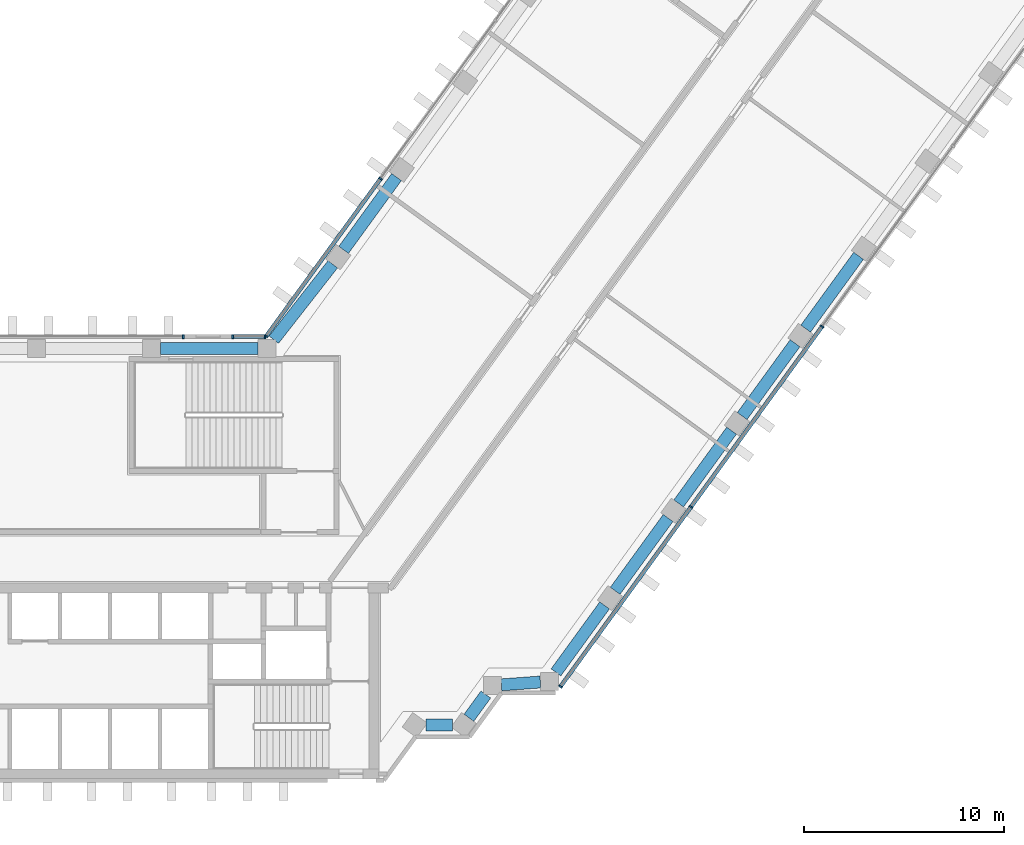
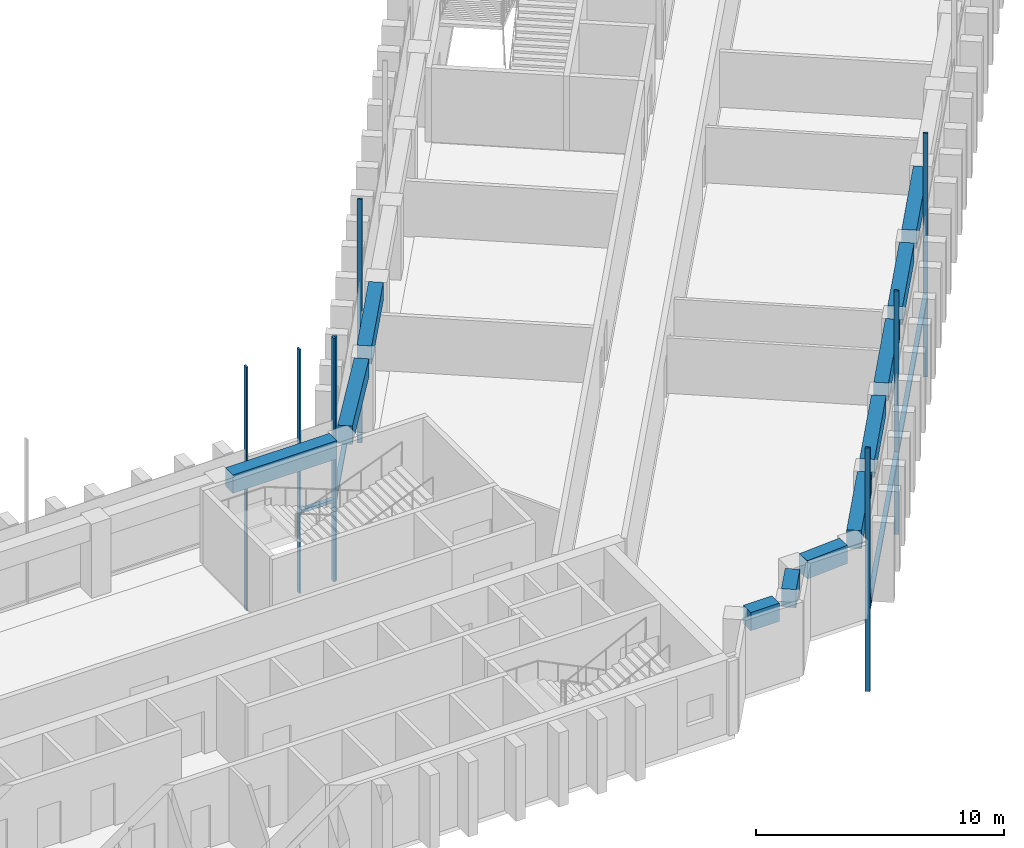
# One storey, part 5 of 19: 12 members, 11 beams, 4 elements without a shape of their own.
"""IFC4 building model written with IfcOpenShell, lengths in metres."""

from ifc_helpers import new_model, si_unit, direction, frame, origin, origin_2d, place, context, subcontext, project, spatial, rectangle, extrude, material, material_profile, profile_set, type_object, element, aggregate, save


model = new_model("IFC4")

# Units and contexts
model_context = context("Model", 3, precision=1e-05, world=origin(), true_north=direction((0.0, 1.0)))
body_context = subcontext(model_context, "Body", "Model", "MODEL_VIEW")
ifc_project = project(units=[si_unit("LENGTHUNIT", "METRE"), si_unit("AREAUNIT", "SQUARE_METRE"), si_unit("VOLUMEUNIT", "CUBIC_METRE"), si_unit("PLANEANGLEUNIT", "RADIAN"), si_unit("MASSUNIT", "GRAM", prefix="KILO")], contexts=[model_context])

# Site, building, storey
site_placement = place(None, origin())
site = spatial("IfcSite", under=ifc_project, at=site_placement, CompositionType="ELEMENT")
building_placement = place(site_placement, origin())
building = spatial("IfcBuilding", under=site, at=building_placement, Name="Quipu Civic Tower", CompositionType="ELEMENT")
storey_placement = place(building_placement, frame((0.0, 0.0, 47.0)))
storey = spatial("IfcBuildingStorey", under=building, at=storey_placement, Name="L10", CompositionType="ELEMENT", Elevation=47.0)

# Curtain wall, members
ifc_material_1 = material(Name="Insulated glass unit", Category="glass")
curtain_wall_type = type_object("IfcCurtainWallType", Name="Office curtain wall CW1", PredefinedType="NOTDEFINED", material=ifc_material_1)
curtain_wall_1_placement = place(storey_placement, origin())
curtain_wall_1 = element("IfcCurtainWall", 1, at=curtain_wall_1_placement, inside=storey, type_object=curtain_wall_type, Name="Office curtain wall CW1 L09 run 19", PredefinedType="NOTDEFINED")
ifc_material_2 = material(Name="Anodised aluminium", Category="aluminium")
ifc_material_profile_1 = material_profile(ifc_material_2, rectangle(XDim=0.199951171875, YDim=0.080078125, at=origin_2d()), Name="RECT 200x80")
ifc_profile_set_1 = profile_set([ifc_material_profile_1], Name="Anodised aluminium")
member_type_1 = type_object("IfcMemberType", Name="Mullion CW1", PredefinedType="MULLION", material=ifc_profile_set_1)
member_1_placement = place(storey_placement, frame((29.079345703125, -6.3876953125, -3.919921875), z_axis=(0.0, 0.0, 1.0), x_axis=(-0.809016770908, 0.587785559869, 0.0)))
member_1 = element("IfcMember", 2, at=member_1_placement, type_object=member_type_1, Name="CW1 mullion 1", PredefinedType="MULLION", context=body_context, shape_type="SweptSolid", body=[
    extrude(rectangle(XDim=0.199951171875, YDim=0.080078125, at=origin_2d()), origin(), (0.0, 0.0, 1.0), 12.0),
])
member_2_placement = place(storey_placement, frame((35.60546875, 2.594482421875, -3.919921875), z_axis=(0.0, 0.0, 1.0), x_axis=(-0.809016770908, 0.587785559869, 0.0)))
member_2 = element("IfcMember", 3, at=member_2_placement, type_object=member_type_1, Name="CW1 mullion 2", PredefinedType="MULLION", context=body_context, shape_type="SweptSolid", body=[
    extrude(rectangle(XDim=0.199951171875, YDim=0.080078125, at=origin_2d()), origin(), (0.0, 0.0, 1.0), 12.0),
])
member_3_placement = place(storey_placement, frame((42.155029296875, 11.609130859375, -3.919921875), z_axis=(0.0, 0.0, 1.0), x_axis=(-0.809016770908, 0.587785559869, 0.0)))
member_3 = element("IfcMember", 4, at=member_3_placement, type_object=member_type_1, Name="CW1 mullion 3", PredefinedType="MULLION", context=body_context, shape_type="SweptSolid", body=[
    extrude(rectangle(XDim=0.199951171875, YDim=0.080078125, at=origin_2d()), origin(), (0.0, 0.0, 1.0), 12.0),
])

curtain_wall_2_placement = place(storey_placement, origin())
curtain_wall_2 = element("IfcCurtainWall", 5, at=curtain_wall_2_placement, inside=storey, type_object=curtain_wall_type, Name="Office curtain wall CW1 L09 run 29", PredefinedType="NOTDEFINED")
member_4_placement = place(storey_placement, frame((20.08154296875, 18.996826171875, -3.919921875), z_axis=(0.0, 0.0, 1.0), x_axis=(0.809016532822, -0.587785887566, 0.0)))
member_4 = element("IfcMember", 6, at=member_4_placement, type_object=member_type_1, Name="CW1 mullion 4", PredefinedType="MULLION", context=body_context, shape_type="SweptSolid", body=[
    extrude(rectangle(XDim=0.199951171875, YDim=0.080078125, at=origin_2d()), origin(), (0.0, 0.0, 1.0), 12.0),
])
member_5_placement = place(storey_placement, frame((14.36767578125, 11.13232421875, -3.919921875), z_axis=(0.0, 0.0, 1.0), x_axis=(0.809016532822, -0.587785887566, 0.0)))
member_5 = element("IfcMember", 7, at=member_5_placement, type_object=member_type_1, Name="CW1 mullion 5", PredefinedType="MULLION", context=body_context, shape_type="SweptSolid", body=[
    extrude(rectangle(XDim=0.199951171875, YDim=0.080078125, at=origin_2d()), origin(), (0.0, 0.0, 1.0), 12.0),
])

curtain_wall_3_placement = place(storey_placement, origin())
curtain_wall_3 = element("IfcCurtainWall", 8, at=curtain_wall_3_placement, inside=storey, type_object=curtain_wall_type, Name="Office curtain wall CW1 L09 run 30", PredefinedType="NOTDEFINED")
member_6_placement = place(storey_placement, frame((14.30419921875, 11.10009765625, -3.919921875), z_axis=(0.0, 0.0, 1.0), x_axis=(0.0, -1.0, 0.0)))
member_6 = element("IfcMember", 9, at=member_6_placement, type_object=member_type_1, Name="CW1 mullion 1", PredefinedType="MULLION", context=body_context, shape_type="SweptSolid", body=[
    extrude(rectangle(XDim=0.199951171875, YDim=0.080078125, at=origin_2d()), origin(), (0.0, 0.0, 1.0), 12.0),
])
member_7_placement = place(storey_placement, frame((12.695068359375, 11.10009765625, -3.919921875), z_axis=(0.0, 0.0, 1.0), x_axis=(0.0, -1.0, 0.0)))
member_7 = element("IfcMember", 10, at=member_7_placement, type_object=member_type_1, Name="CW1 mullion 2", PredefinedType="MULLION", context=body_context, shape_type="SweptSolid", body=[
    extrude(rectangle(XDim=0.199951171875, YDim=0.080078125, at=origin_2d()), origin(), (0.0, 0.0, 1.0), 12.0),
])

# Curtain wall, member
curtain_wall_4_placement = place(storey_placement, origin())
curtain_wall_4 = element("IfcCurtainWall", 11, at=curtain_wall_4_placement, inside=storey, type_object=curtain_wall_type, Name="Office curtain wall CW1 L09 run 32", PredefinedType="NOTDEFINED")
member_8_placement = place(storey_placement, frame((10.223388671875, 11.10009765625, -3.919921875), z_axis=(0.0, 0.0, 1.0), x_axis=(0.0, -1.0, 0.0)))
member_8 = element("IfcMember", 12, at=member_8_placement, type_object=member_type_1, Name="CW1 mullion 1", PredefinedType="MULLION", context=body_context, shape_type="SweptSolid", body=[
    extrude(rectangle(XDim=0.199951171875, YDim=0.080078125, at=origin_2d()), origin(), (0.0, 0.0, 1.0), 12.0),
])
aggregate(curtain_wall_4, [member_8])

# Beams
ifc_material_3 = material(Name="Concrete C50/60", Category="concrete")
ifc_material_profile_2 = material_profile(ifc_material_3, rectangle(XDim=0.60009765625, YDim=0.89990234375, at=origin_2d()), Name="RC600x900")
ifc_profile_set_2 = profile_set([ifc_material_profile_2], Name="Concrete C50/60")
beam_type = type_object("IfcBeamType", Name="Spandrel beam RC 600x900 C50/60", PredefinedType="SPANDREL", material=ifc_profile_set_2)
beam_1_placement = place(storey_placement, frame((22.34814453125, -8.31494140625, 3.199951171875), z_axis=(1.0, 0.0, 0.0), x_axis=(0.0, 1.0, 0.0)))
element("IfcBeam", 13, at=beam_1_placement, inside=storey, type_object=beam_type, Name="Spandrel beam L10 J-Eo.1 to J-Eo.2", PredefinedType="SPANDREL", context=body_context, shape_type="SweptSolid", body=[
    extrude(rectangle(XDim=0.60009765625, YDim=0.89990234375, at=origin_2d()), origin(), (0.0, 0.0, 1.0), 1.33056640625),
])
beam_2_placement = place(storey_placement, frame((24.499755859375, -7.951171875, 3.199951171875), z_axis=(0.588433824377, 0.808545381738, 0.0), x_axis=(-0.808545381738, 0.588433824377, 0.0)))
element("IfcBeam", 14, at=beam_2_placement, inside=storey, type_object=beam_type, Name="Spandrel beam L10 J-Eo.2 to J-Eo.3", PredefinedType="SPANDREL", context=body_context, shape_type="SweptSolid", body=[
    extrude(rectangle(XDim=0.60009765625, YDim=0.89990234375, at=origin_2d()), origin(), (0.0, 0.0, 1.0), 1.439697265625),
])
beam_3_placement = place(storey_placement, frame((26.12451171875, -6.304443359375, 3.199951171875), z_axis=(0.997365981169, 0.072533437859, 0.0), x_axis=(-0.072533437859, 0.997365981169, 0.0)))
element("IfcBeam", 15, at=beam_3_placement, inside=storey, type_object=beam_type, Name="Spandrel beam L10 J-Eo.3 to J-Eo.4", PredefinedType="SPANDREL", context=body_context, shape_type="SweptSolid", body=[
    extrude(rectangle(XDim=0.60009765625, YDim=0.89990234375, at=origin_2d()), origin(), (0.0, 0.0, 1.0), 1.95556640625),
])
beam_4_placement = place(storey_placement, frame((28.85205078125, -5.679931640625, 3.199951171875), z_axis=(0.587750565781, 0.809042194464, 0.0), x_axis=(-0.809042194464, 0.587750565781, 0.0)))
element("IfcBeam", 16, at=beam_4_placement, inside=storey, type_object=beam_type, Name="Spandrel beam L10 J-Eo.4 to E-OUT-01", PredefinedType="SPANDREL", context=body_context, shape_type="SweptSolid", body=[
    extrude(rectangle(XDim=0.60009765625, YDim=0.89990234375, at=origin_2d()), origin(), (0.0, 0.0, 1.0), 4.13720703125),
])
beam_5_placement = place(storey_placement, frame((31.812744140625, -1.604736328125, 3.199951171875), z_axis=(0.587778073121, 0.809022210299, 0.0), x_axis=(-0.809022210299, 0.587778073121, 0.0)))
element("IfcBeam", 17, at=beam_5_placement, inside=storey, type_object=beam_type, Name="Spandrel beam L10 E-OUT-01 to E-OUT-02", PredefinedType="SPANDREL", context=body_context, shape_type="SweptSolid", body=[
    extrude(rectangle(XDim=0.60009765625, YDim=0.89990234375, at=origin_2d()), origin(), (0.0, 0.0, 1.0), 4.5),
])
beam_6_placement = place(storey_placement, frame((34.98681640625, 2.76416015625, 3.199951171875), z_axis=(0.587803872688, 0.809003465539, 0.0), x_axis=(-0.809003465539, 0.587803872688, 0.0)))
element("IfcBeam", 18, at=beam_6_placement, inside=storey, type_object=beam_type, Name="Spandrel beam L10 E-OUT-02 to E-OUT-03", PredefinedType="SPANDREL", context=body_context, shape_type="SweptSolid", body=[
    extrude(rectangle(XDim=0.60009765625, YDim=0.89990234375, at=origin_2d()), origin(), (0.0, 0.0, 1.0), 4.499755859375),
])
for number, where, z_axis, x_axis, name in (
    (19, (38.160888671875, 7.1328125, 3.199951171875), (0.587778073121, 0.809022210299, 0.0), (-0.809022210299, 0.587778073121, 0.0), "Spandrel beam L10 E-OUT-03 to E-OUT-04"),
    (20, (41.3349609375, 11.50146484375, 3.199951171875), (0.587778073121, 0.809022210299, 0.0), (-0.809022210299, 0.587778073121, 0.0), "Spandrel beam L10 E-OUT-04 to E-OUT-05"),
    (21, (20.8828125, 19.079833984375, 3.199951171875), (-0.587716763865, -0.809066749701, 0.0), (0.809066749701, -0.587716763865, 0.0), "Spandrel beam L10 E-IN-02 to E-IN-01"),
):
    element("IfcBeam", number, at=place(storey_placement, frame(where, z_axis=z_axis, x_axis=x_axis)), inside=storey, type_object=beam_type, Name=name, PredefinedType="SPANDREL", context=body_context, shape_type="SweptSolid", body=[
        extrude(rectangle(XDim=0.60009765625, YDim=0.89990234375, at=origin_2d()), origin(), (0.0, 0.0, 1.0), 4.5),
    ])
beam_7_placement = place(storey_placement, frame((17.6962890625, 14.72021484375, 3.199951171875), z_axis=(-0.616123961998, -0.787649200756, 0.0), x_axis=(0.787649200756, -0.616123961998, 0.0)))
element("IfcBeam", 22, at=beam_7_placement, inside=storey, type_object=beam_type, Name="Spandrel beam L10 E-IN-01 to J-Ei.0", PredefinedType="SPANDREL", context=body_context, shape_type="SweptSolid", body=[
    extrude(rectangle(XDim=0.60009765625, YDim=0.89990234375, at=origin_2d()), origin(), (0.0, 0.0, 1.0), 4.78662109375),
])
beam_8_placement = place(storey_placement, frame((13.9453125, 10.5, 3.199951171875), z_axis=(-1.0, 0.0, 0.0), x_axis=(0.0, -1.0, 0.0)))
element("IfcBeam", 23, at=beam_8_placement, inside=storey, type_object=beam_type, Name="Spandrel beam L10 J-Ei.0 to FRONT-01", PredefinedType="SPANDREL", context=body_context, shape_type="SweptSolid", body=[
    extrude(rectangle(XDim=0.60009765625, YDim=0.89990234375, at=origin_2d()), origin(), (0.0, 0.0, 1.0), 4.858154296875),
])

# Member
ifc_material_4 = material(Name="Anodised aluminium", Category="aluminium")
ifc_material_profile_3 = material_profile(ifc_material_4, rectangle(XDim=0.199951171875, YDim=0.159912109375, at=origin_2d()), Name="RECT 200x160")
ifc_profile_set_3 = profile_set([ifc_material_profile_3], Name="Anodised aluminium")
member_type_2 = type_object("IfcMemberType", Name="Transom CW1", PredefinedType="USERDEFINED", material=ifc_profile_set_3)
member_9_placement = place(storey_placement, frame((29.10302734375, -6.35546875, 0.080078125), z_axis=(0.587779179422, 0.809021406539, 0.0), x_axis=(-0.809021406539, 0.587779179422, 0.0)))
member_9 = element("IfcMember", 24, at=member_9_placement, type_object=member_type_2, Name="CW1 transom 1.2", ObjectType="TRANSOM", PredefinedType="USERDEFINED", context=body_context, shape_type="SweptSolid", body=[
    extrude(rectangle(XDim=0.199951171875, YDim=0.159912109375, at=origin_2d()), origin(), (0.0, 0.0, 1.0), 11.02294921875),
])

member_10_placement = place(storey_placement, frame((35.62890625, 2.626953125, 0.080078125), z_axis=(0.587795037589, 0.80900988485, 0.0), x_axis=(-0.80900988485, 0.587795037589, 0.0)))
member_10 = element("IfcMember", 25, at=member_10_placement, type_object=member_type_2, Name="CW1 transom 2.2", ObjectType="TRANSOM", PredefinedType="USERDEFINED", context=body_context, shape_type="SweptSolid", body=[
    extrude(rectangle(XDim=0.199951171875, YDim=0.159912109375, at=origin_2d()), origin(), (0.0, 0.0, 1.0), 11.062744140625),
])

aggregate(curtain_wall_1, [member_1, member_2, member_3, member_9, member_10])

member_11_placement = place(storey_placement, frame((20.05810546875, 18.964599609375, 0.080078125), z_axis=(-0.58779220199, -0.809011945079, 0.0), x_axis=(0.809011945079, -0.58779220199, 0.0)))
member_11 = element("IfcMember", 26, at=member_11_placement, type_object=member_type_2, Name="CW1 transom 4.2", ObjectType="TRANSOM", PredefinedType="USERDEFINED", context=body_context, shape_type="SweptSolid", body=[
    extrude(rectangle(XDim=0.199951171875, YDim=0.159912109375, at=origin_2d()), origin(), (0.0, 0.0, 1.0), 9.64111328125),
])

aggregate(curtain_wall_2, [member_4, member_5, member_11])

member_12_placement = place(storey_placement, frame((14.26416015625, 11.10009765625, 0.080078125), z_axis=(-1.0, 0.0, 0.0), x_axis=(0.0, -1.0, 0.0)))
member_12 = element("IfcMember", 27, at=member_12_placement, type_object=member_type_2, Name="CW1 transom 1.2", ObjectType="TRANSOM", PredefinedType="USERDEFINED", context=body_context, shape_type="SweptSolid", body=[
    extrude(rectangle(XDim=0.199951171875, YDim=0.159912109375, at=origin_2d()), origin(), (0.0, 0.0, 1.0), 1.529052734375),
])

aggregate(curtain_wall_3, [member_6, member_7, member_12])

save(model, "model.ifc")
